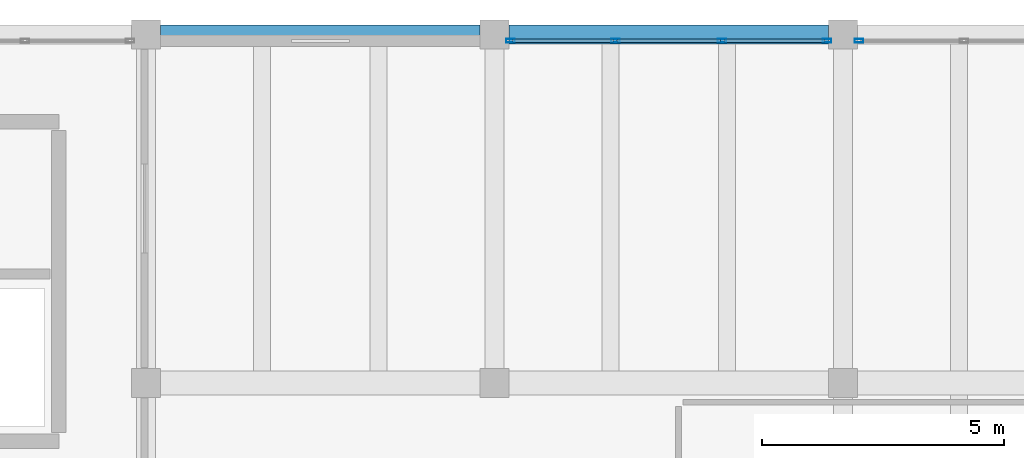
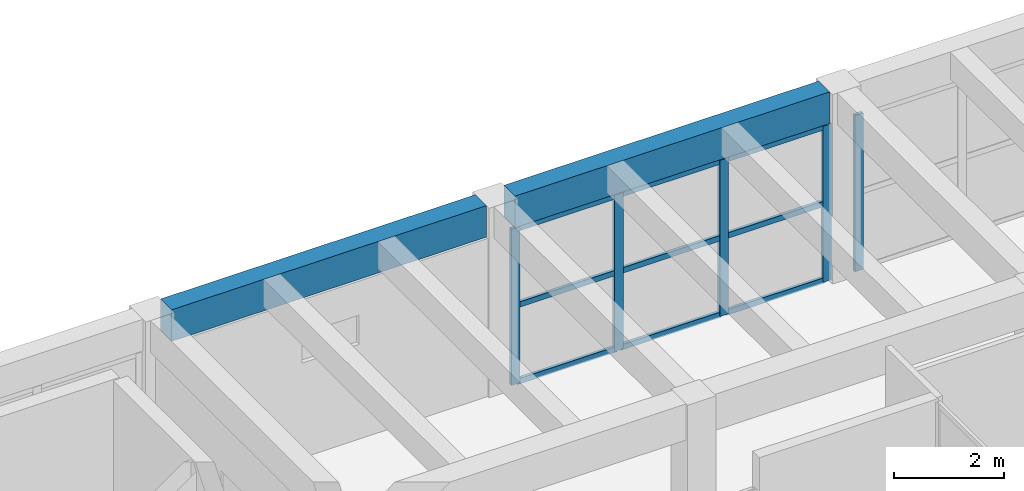
# One storey, part 85 of 153: 14 members, 2 beams, 2 elements without a shape of their own.
"""IFC4 building model written with IfcOpenShell, lengths in metres."""

from ifc_helpers import new_model, si_unit, direction, frame, origin, origin_2d, place, context, subcontext, project, spatial, rectangle, hollow_rectangle, extrude, material, material_profile, profile_set, type_object, element, aggregate, save


model = new_model("IFC4")

# Units and contexts
model_context = context("Model", 3, precision=1e-05, world=origin(), true_north=direction((0.0, 1.0)))
body_context = subcontext(model_context, "Body", "Model", "MODEL_VIEW")
ifc_project = project(units=[si_unit("LENGTHUNIT", "METRE"), si_unit("AREAUNIT", "SQUARE_METRE"), si_unit("VOLUMEUNIT", "CUBIC_METRE"), si_unit("PLANEANGLEUNIT", "RADIAN"), si_unit("MASSUNIT", "GRAM", prefix="KILO")], contexts=[model_context])

# Site, building, storey
site_placement = place(None, origin())
site = spatial("IfcSite", under=ifc_project, at=site_placement, CompositionType="ELEMENT")
building_placement = place(site_placement, origin())
building = spatial("IfcBuilding", under=site, at=building_placement, Name="Bramvelor Terrace Health Centre", CompositionType="ELEMENT")
storey_placement = place(building_placement, frame((0.0, 0.0, 4.800048828125)))
storey = spatial("IfcBuildingStorey", under=building, at=storey_placement, Name="L02", CompositionType="ELEMENT", Elevation=4.800048828125)

# Beams
ifc_material_1 = material(Name="Concrete C40/50", Category="concrete")
ifc_material_profile_1 = material_profile(ifc_material_1, rectangle(XDim=0.39990234375, YDim=0.699951171875, at=origin_2d()), Name="RC 400x700")
ifc_profile_set_1 = profile_set([ifc_material_profile_1], Name="Concrete C40/50")
beam_type = type_object("IfcBeamType", Name="BM-RC-SP700-EXT", PredefinedType="SPANDREL", material=ifc_profile_set_1)
for number, where, z_axis, x_axis, name in (
    (1, (14.699951171875, 115.199951171875, 3.849853515625), (1.0, 0.0, 0.0), (0.0, 1.0, 0.0), "L02 Floor Girder"),
    (2, (21.89990234375, 115.199951171875, 3.849853515625), (1.0, 0.0, 0.0), (0.0, 1.0, 0.0), "L02 Floor Girder"),
):
    element("IfcBeam", number, at=place(storey_placement, frame(where, z_axis=z_axis, x_axis=x_axis)), inside=storey, type_object=beam_type, Name=name, PredefinedType="SPANDREL", context=body_context, shape_type="SweptSolid", body=[
        extrude(rectangle(XDim=0.39990234375, YDim=0.699951171875, at=origin_2d()), origin(), (0.0, 0.0, 1.0), 6.60009765625),
    ])

# Curtain wall, members
ifc_material_2 = material(Name="Anodized aluminium and double low-E glass", Category="aluminium")
curtain_wall_type = type_object("IfcCurtainWallType", Name="CW-SYS-13", PredefinedType="NOTDEFINED", material=ifc_material_2)
curtain_wall_1_placement = place(storey_placement, origin())
curtain_wall_1 = element("IfcCurtainWall", 3, at=curtain_wall_1_placement, inside=storey, type_object=curtain_wall_type, Name="L02 Unitized Curtain Wall 81", PredefinedType="NOTDEFINED")
ifc_material_3 = material(Name="Anodized aluminium 6063-T6", Category="aluminium")
ifc_material_profile_2 = material_profile(ifc_material_3, hollow_rectangle(XDim=0.074951171875, YDim=0.179931640625, WallThickness=0.00341796875, at=origin_2d()), Name="ALU-MUL 75x180x3.5")
ifc_profile_set_2 = profile_set([ifc_material_profile_2], Name="Anodized aluminium 6063-T6")
member_type_1 = type_object("IfcMemberType", Name="CW-MUL-65x180", PredefinedType="MULLION", material=ifc_profile_set_2)
member_1_placement = place(storey_placement, frame((21.9326171875, 115.070068359375, 0.0), z_axis=(0.0, 0.0, 1.0), x_axis=(0.0, 1.0, 0.0)))
member_1 = element("IfcMember", 4, at=member_1_placement, type_object=member_type_1, Name="CW-13 mullion 1", PredefinedType="MULLION", context=body_context, shape_type="SweptSolid", body=[
    extrude(hollow_rectangle(XDim=0.074951171875, YDim=0.179931640625, WallThickness=0.00341796875, at=origin_2d()), origin(), (0.0, 0.0, 1.0), 3.4599609375),
])
member_2_placement = place(storey_placement, frame((24.098388671875, 115.070068359375, 0.0), z_axis=(0.0, 0.0, 1.0), x_axis=(0.0, 1.0, 0.0)))
member_2 = element("IfcMember", 5, at=member_2_placement, type_object=member_type_1, Name="CW-13 mullion 2", PredefinedType="MULLION", context=body_context, shape_type="SweptSolid", body=[
    extrude(hollow_rectangle(XDim=0.074951171875, YDim=0.179931640625, WallThickness=0.00341796875, at=origin_2d()), origin(), (0.0, 0.0, 1.0), 3.4599609375),
])
member_3_placement = place(storey_placement, frame((26.3017578125, 115.070068359375, 0.0), z_axis=(0.0, 0.0, 1.0), x_axis=(0.0, 1.0, 0.0)))
member_3 = element("IfcMember", 6, at=member_3_placement, type_object=member_type_1, Name="CW-13 mullion 3", PredefinedType="MULLION", context=body_context, shape_type="SweptSolid", body=[
    extrude(hollow_rectangle(XDim=0.074951171875, YDim=0.179931640625, WallThickness=0.00341796875, at=origin_2d()), origin(), (0.0, 0.0, 1.0), 3.4599609375),
])
member_4_placement = place(storey_placement, frame((28.467529296875, 115.070068359375, 0.0), z_axis=(0.0, 0.0, 1.0), x_axis=(0.0, 1.0, 0.0)))
member_4 = element("IfcMember", 7, at=member_4_placement, type_object=member_type_1, Name="CW-13 mullion 4", PredefinedType="MULLION", context=body_context, shape_type="SweptSolid", body=[
    extrude(hollow_rectangle(XDim=0.074951171875, YDim=0.179931640625, WallThickness=0.00341796875, at=origin_2d()), origin(), (0.0, 0.0, 1.0), 3.4599609375),
])

# Curtain wall, member
curtain_wall_2_placement = place(storey_placement, origin())
curtain_wall_2 = element("IfcCurtainWall", 8, at=curtain_wall_2_placement, inside=storey, type_object=curtain_wall_type, Name="L02 Unitized Curtain Wall 82", PredefinedType="NOTDEFINED")
member_5_placement = place(storey_placement, frame((29.132568359375, 115.070068359375, 0.0), z_axis=(0.0, 0.0, 1.0), x_axis=(0.0, 1.0, 0.0)))
member_5 = element("IfcMember", 9, at=member_5_placement, type_object=member_type_1, Name="CW-13 mullion 1", PredefinedType="MULLION", context=body_context, shape_type="SweptSolid", body=[
    extrude(hollow_rectangle(XDim=0.074951171875, YDim=0.179931640625, WallThickness=0.00341796875, at=origin_2d()), origin(), (0.0, 0.0, 1.0), 3.4599609375),
])
aggregate(curtain_wall_2, [member_5])

# Member
ifc_material_4 = material(Name="Anodized aluminium 6063-T6", Category="aluminium")
ifc_material_profile_3 = material_profile(ifc_material_4, hollow_rectangle(XDim=0.06494140625, YDim=0.1201171875, WallThickness=0.0029296875, at=origin_2d()), Name="ALU-TRN 65x120x3.0")
ifc_profile_set_3 = profile_set([ifc_material_profile_3], Name="Anodized aluminium 6063-T6")
member_type_2 = type_object("IfcMemberType", Name="CW-TRN-65x150", PredefinedType="USERDEFINED", material=ifc_profile_set_3)
member_6_placement = place(storey_placement, frame((21.969970703125, 115.070068359375, 0.032470703125), z_axis=(1.0, 0.0, 0.0), x_axis=(0.0, 1.0, 0.0)))
member_6 = element("IfcMember", 10, at=member_6_placement, type_object=member_type_2, Name="CW-13 transom 1.1", ObjectType="TRANSOM", PredefinedType="USERDEFINED", context=body_context, shape_type="SweptSolid", body=[
    extrude(hollow_rectangle(XDim=0.06494140625, YDim=0.1201171875, WallThickness=0.0029296875, at=origin_2d()), origin(), (0.0, 0.0, 1.0), 2.0908203125),
])

member_7_placement = place(storey_placement, frame((21.969970703125, 115.070068359375, 1.72998046875), z_axis=(1.0, 0.0, 0.0), x_axis=(0.0, 1.0, 0.0)))
member_7 = element("IfcMember", 11, at=member_7_placement, type_object=member_type_2, Name="CW-13 transom 1.2", ObjectType="TRANSOM", PredefinedType="USERDEFINED", context=body_context, shape_type="SweptSolid", body=[
    extrude(hollow_rectangle(XDim=0.06494140625, YDim=0.1201171875, WallThickness=0.0029296875, at=origin_2d()), origin(), (0.0, 0.0, 1.0), 2.0908203125),
])

member_8_placement = place(storey_placement, frame((21.969970703125, 115.070068359375, 3.427490234375), z_axis=(1.0, 0.0, 0.0), x_axis=(0.0, 1.0, 0.0)))
member_8 = element("IfcMember", 12, at=member_8_placement, type_object=member_type_2, Name="CW-13 transom 1.3", ObjectType="TRANSOM", PredefinedType="USERDEFINED", context=body_context, shape_type="SweptSolid", body=[
    extrude(hollow_rectangle(XDim=0.06494140625, YDim=0.1201171875, WallThickness=0.0029296875, at=origin_2d()), origin(), (0.0, 0.0, 1.0), 2.0908203125),
])

member_9_placement = place(storey_placement, frame((24.1357421875, 115.070068359375, 0.032470703125), z_axis=(1.0, 0.0, 0.0), x_axis=(0.0, 1.0, 0.0)))
member_9 = element("IfcMember", 13, at=member_9_placement, type_object=member_type_2, Name="CW-13 transom 2.1", ObjectType="TRANSOM", PredefinedType="USERDEFINED", context=body_context, shape_type="SweptSolid", body=[
    extrude(hollow_rectangle(XDim=0.06494140625, YDim=0.1201171875, WallThickness=0.0029296875, at=origin_2d()), origin(), (0.0, 0.0, 1.0), 2.12841796875),
])

member_10_placement = place(storey_placement, frame((24.1357421875, 115.070068359375, 1.72998046875), z_axis=(1.0, 0.0, 0.0), x_axis=(0.0, 1.0, 0.0)))
member_10 = element("IfcMember", 14, at=member_10_placement, type_object=member_type_2, Name="CW-13 transom 2.2", ObjectType="TRANSOM", PredefinedType="USERDEFINED", context=body_context, shape_type="SweptSolid", body=[
    extrude(hollow_rectangle(XDim=0.06494140625, YDim=0.1201171875, WallThickness=0.0029296875, at=origin_2d()), origin(), (0.0, 0.0, 1.0), 2.12841796875),
])

member_11_placement = place(storey_placement, frame((24.1357421875, 115.070068359375, 3.427490234375), z_axis=(1.0, 0.0, 0.0), x_axis=(0.0, 1.0, 0.0)))
member_11 = element("IfcMember", 15, at=member_11_placement, type_object=member_type_2, Name="CW-13 transom 2.3", ObjectType="TRANSOM", PredefinedType="USERDEFINED", context=body_context, shape_type="SweptSolid", body=[
    extrude(hollow_rectangle(XDim=0.06494140625, YDim=0.1201171875, WallThickness=0.0029296875, at=origin_2d()), origin(), (0.0, 0.0, 1.0), 2.12841796875),
])

member_12_placement = place(storey_placement, frame((26.339111328125, 115.070068359375, 0.032470703125), z_axis=(1.0, 0.0, 0.0), x_axis=(0.0, 1.0, 0.0)))
member_12 = element("IfcMember", 16, at=member_12_placement, type_object=member_type_2, Name="CW-13 transom 3.1", ObjectType="TRANSOM", PredefinedType="USERDEFINED", context=body_context, shape_type="SweptSolid", body=[
    extrude(hollow_rectangle(XDim=0.06494140625, YDim=0.1201171875, WallThickness=0.0029296875, at=origin_2d()), origin(), (0.0, 0.0, 1.0), 2.0908203125),
])

member_13_placement = place(storey_placement, frame((26.339111328125, 115.070068359375, 1.72998046875), z_axis=(1.0, 0.0, 0.0), x_axis=(0.0, 1.0, 0.0)))
member_13 = element("IfcMember", 17, at=member_13_placement, type_object=member_type_2, Name="CW-13 transom 3.2", ObjectType="TRANSOM", PredefinedType="USERDEFINED", context=body_context, shape_type="SweptSolid", body=[
    extrude(hollow_rectangle(XDim=0.06494140625, YDim=0.1201171875, WallThickness=0.0029296875, at=origin_2d()), origin(), (0.0, 0.0, 1.0), 2.0908203125),
])

member_14_placement = place(storey_placement, frame((26.339111328125, 115.070068359375, 3.427490234375), z_axis=(1.0, 0.0, 0.0), x_axis=(0.0, 1.0, 0.0)))
member_14 = element("IfcMember", 18, at=member_14_placement, type_object=member_type_2, Name="CW-13 transom 3.3", ObjectType="TRANSOM", PredefinedType="USERDEFINED", context=body_context, shape_type="SweptSolid", body=[
    extrude(hollow_rectangle(XDim=0.06494140625, YDim=0.1201171875, WallThickness=0.0029296875, at=origin_2d()), origin(), (0.0, 0.0, 1.0), 2.0908203125),
])

aggregate(curtain_wall_1, [member_1, member_2, member_3, member_4, member_6, member_7, member_8, member_9, member_10, member_11, member_12, member_13, member_14])

save(model, "model.ifc")
